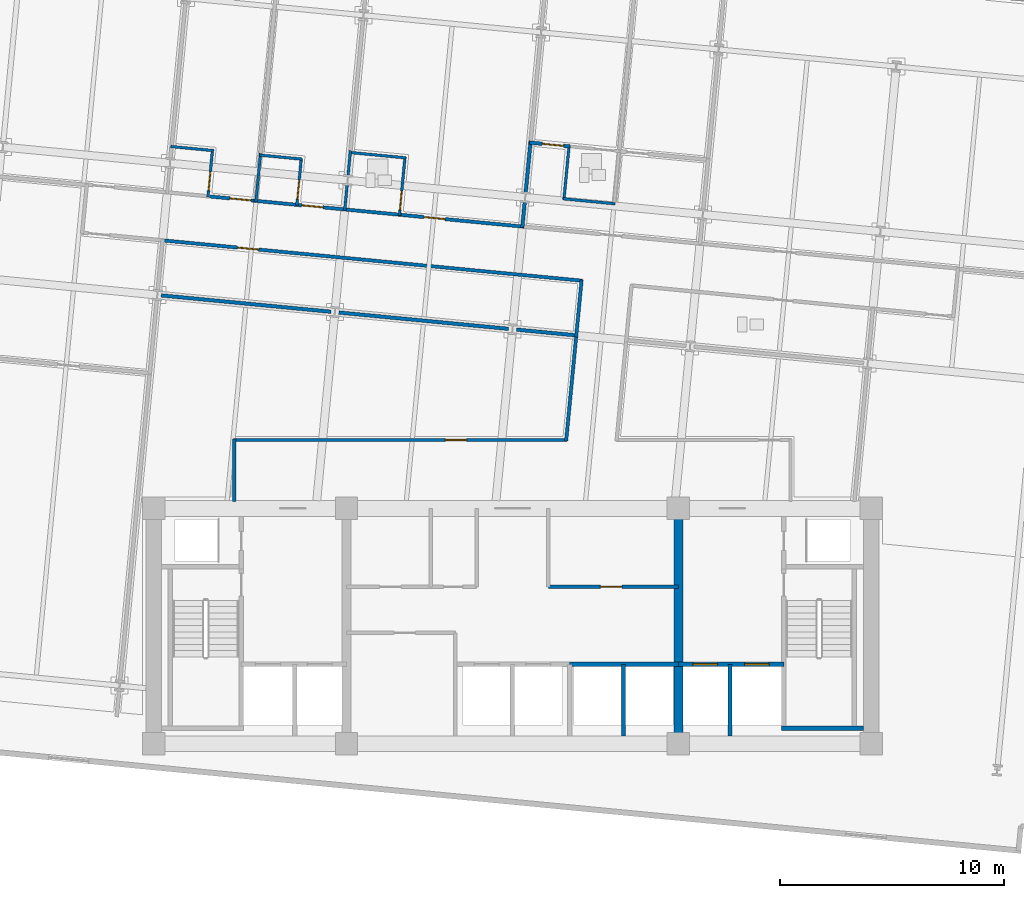
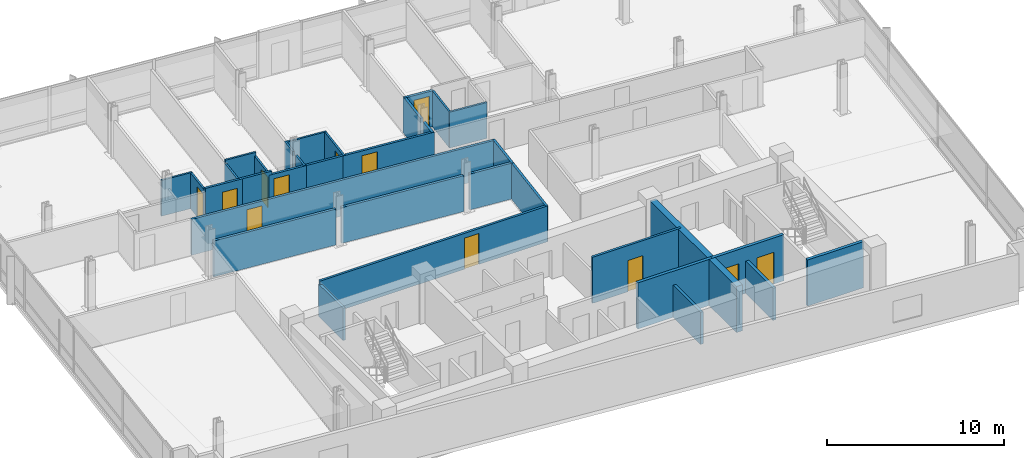
# One storey, part 11 of 17: 34 walls, 12 doors, 12 openings.
"""IFC4 building model written with IfcOpenShell, lengths in metres."""

from ifc_helpers import new_model, si_unit, direction, frame, frame_2d, origin, place, context, subcontext, project, spatial, rectangle, extrude, material, layer, layer_set, type_object, element, fill, save


model = new_model("IFC4")

# Units and contexts
model_context = context("Model", 3, precision=1e-05, world=origin(), true_north=direction((0.0, 1.0)))
body_context = subcontext(model_context, "Body", "Model", "MODEL_VIEW")
ifc_project = project(units=[si_unit("LENGTHUNIT", "METRE"), si_unit("AREAUNIT", "SQUARE_METRE"), si_unit("VOLUMEUNIT", "CUBIC_METRE"), si_unit("PLANEANGLEUNIT", "RADIAN"), si_unit("MASSUNIT", "GRAM", prefix="KILO")], contexts=[model_context])

# Site, building, storey
site_placement = place(None, origin())
site = spatial("IfcSite", under=ifc_project, at=site_placement, CompositionType="ELEMENT")
building_placement = place(site_placement, origin())
building = spatial("IfcBuilding", under=site, at=building_placement, Name="Solmavex Isthmus Hotel", CompositionType="ELEMENT")
storey_placement = place(building_placement, frame((0.0, 0.0, 149.699951171875)))
storey = spatial("IfcBuildingStorey", under=building, at=storey_placement, Name="L40", CompositionType="ELEMENT", Elevation=149.699951171875)

# Walls
ifc_material_1 = material(Name="Gypsum plasterboard lining", Category="gypsum")
ifc_layer_1 = layer(ifc_material_1, 0.159912109375)
ifc_layer_set_1 = layer_set([ifc_layer_1], Name="Gypsum plasterboard lining")
wall_type_1 = type_object("IfcWallType", Name="IW-COMP-160", PredefinedType="PARTITIONING", material=ifc_layer_set_1)
wall_1_placement = place(storey_placement, frame((0.55078125, 11.196044921875, 0.0), z_axis=(0.0, 0.0, 1.0), x_axis=(-0.096017994315, -0.995379598328, 0.0)))
element("IfcWall", 1, at=wall_1_placement, inside=storey, type_object=wall_type_1, Name="Interior Partition Wall W-L40-P040", PredefinedType="PARTITIONING", context=body_context, shape_type="SweptSolid", body=[
    extrude(rectangle(XDim=1.172119140625, YDim=0.159912109375, at=frame_2d((0.5859375, 0.0))), origin(), (0.0, 0.0, 1.0), 2.4794921875),
])
wall_2_placement = place(storey_placement, frame((0.810302734375, 13.8916015625, 0.0), z_axis=(0.0, 0.0, 1.0), x_axis=(-0.095850619404, -0.995395729728, 0.0)))
element("IfcWall", 2, at=wall_2_placement, inside=storey, type_object=wall_type_1, Name="Interior Partition Wall W-L40-P041", PredefinedType="PARTITIONING", context=body_context, shape_type="SweptSolid", body=[
    extrude(rectangle(XDim=2.35595703125, YDim=0.159912109375, at=frame_2d((1.177978515625, 0.0))), origin(), (0.0, 0.0, 1.0), 2.4794921875),
])

# Wall, opening, door
wall_3_placement = place(storey_placement, frame((0.762451171875, 13.813720703125, 0.0), z_axis=(0.0, 0.0, 1.0), x_axis=(0.995394173932, -0.095866774755, 0.0)))
wall_3 = element("IfcWall", 3, at=wall_3_placement, inside=storey, type_object=wall_type_1, Name="Interior Partition Wall W-L40-P044", PredefinedType="PARTITIONING", context=body_context, shape_type="SweptSolid", body=[
    extrude(rectangle(XDim=1.80810546875, YDim=0.159912109375, at=frame_2d((0.904052734375, 0.0))), origin(), (0.0, 0.0, 1.0), 2.4794921875),
])
opening_1_placement = place(wall_3_placement, frame((0.57421875, 0.0, 0.0)))
opening_1 = element("IfcOpeningElement", 4, at=opening_1_placement, cuts=wall_3, Name="Opening ID-C095", PredefinedType="OPENING", context=body_context, shape_type="SweptSolid", body=[
    extrude(rectangle(XDim=0.949951171875, YDim=2.14990234375, at=frame_2d((0.47509765625, 1.074951171875))), frame((0.0, 0.08984375, 0.0), z_axis=(0.0, -1.0, 0.0), x_axis=(1.0, 0.0, 0.0)), (0.0, 0.0, 1.0), 0.179931640625),
])
ifc_material_2 = material(Name="Hardwood timber", Category="wood")
door_type_1 = type_object("IfcDoorType", Name="IDR-FD60-0950", OperationType="NOTDEFINED", PredefinedType="DOOR", material=ifc_material_2)
door_1_placement = place(opening_1_placement, origin())
door_1 = element("IfcDoor", 5, at=door_1_placement, inside=storey, type_object=door_type_1, Name="Ambassador Suite Bedroom Door L40-09", OperationType="SINGLE_SWING_LEFT", OverallHeight=2.14990234375, OverallWidth=0.949951171875, PredefinedType="DOOR", context=body_context, shape_type="SweptSolid", body=[
    extrude(rectangle(XDim=0.949951171875, YDim=2.14990234375, at=frame_2d((0.47509765625, 1.074951171875))), frame((0.0, 0.02490234375, 0.0), z_axis=(0.0, -1.0, 0.0), x_axis=(1.0, 0.0, 0.0)), (0.0, 0.0, 1.0), 0.050048828125),
])
fill(opening_1, door_1)

# Walls
for number, where, z_axis, x_axis, name in (
    (6, (-8.09326171875, 6.269775390625, 0.0), (0.0, 0.0, 1.0), (-0.995396962155, 0.095837819954, 0.0), "Interior Partition Wall W-L40-P060"),
    (7, (-0.173828125, 5.507080078125, 0.0), (0.0, 0.0, 1.0), (-0.995393898805, 0.095869631385, 0.0), "Interior Partition Wall W-L40-P061"),
):
    element("IfcWall", number, at=place(storey_placement, frame(where, z_axis=z_axis, x_axis=x_axis)), inside=storey, type_object=wall_type_1, Name=name, PredefinedType="PARTITIONING", context=body_context, shape_type="SweptSolid", body=[
        extrude(rectangle(XDim=7.60400390625, YDim=0.159912109375, at=frame_2d((3.802001953125, 0.0))), origin(), (0.0, 0.0, 1.0), 2.4794921875),
    ])
wall_4_placement = place(storey_placement, frame((2.885986328125, 5.212646484375, 0.0), z_axis=(0.0, 0.0, 1.0), x_axis=(-0.995401466761, 0.095791022391, 0.0)))
element("IfcWall", 8, at=wall_4_placement, inside=storey, type_object=wall_type_1, Name="Interior Partition Wall W-L40-P062", PredefinedType="PARTITIONING", context=body_context, shape_type="SweptSolid", body=[
    extrude(rectangle(XDim=2.721923828125, YDim=0.159912109375, at=frame_2d((1.36083984375, 0.0))), origin(), (0.0, 0.0, 1.0), 2.4794921875),
])

# Wall, opening, door
ifc_layer_2 = layer(ifc_material_1, 0.14990234375)
ifc_layer_set_2 = layer_set([ifc_layer_2], Name="Gypsum plasterboard lining")
wall_type_2 = type_object("IfcWallType", Name="IW-CORR-150", PredefinedType="PARTITIONING", material=ifc_layer_set_2)
wall_5_placement = place(storey_placement, frame((1.60009765625, -6.0, 0.0), z_axis=(0.0, 0.0, 1.0), x_axis=(1.0, 0.0, 0.0)))
wall_5 = element("IfcWall", 9, at=wall_5_placement, inside=storey, type_object=wall_type_2, Name="Interior Partition Wall W-L40-BOH-ES", PredefinedType="PARTITIONING", context=body_context, shape_type="SweptSolid", body=[
    extrude(rectangle(XDim=5.7998046875, YDim=0.14990234375, at=frame_2d((2.89990234375, 0.0))), origin(), (0.0, 0.0, 1.0), 3.18994140625),
])
opening_2_placement = place(wall_5_placement, frame((2.324951171875, 0.0, 0.0)))
opening_2 = element("IfcOpeningElement", 10, at=opening_2_placement, cuts=wall_5, Name="Opening ID-C095", PredefinedType="OPENING", context=body_context, shape_type="SweptSolid", body=[
    extrude(rectangle(XDim=0.949951171875, YDim=2.14990234375, at=frame_2d((0.47509765625, 1.074951171875))), frame((0.0, 0.0849609375, 0.0), z_axis=(0.0, -1.0, 0.0), x_axis=(1.0, 0.0, 0.0)), (0.0, 0.0, 1.0), 0.169921875),
])
door_2_placement = place(opening_2_placement, frame((0.949951171875, 0.0, 0.0), z_axis=(0.0, 0.0, 1.0), x_axis=(-1.0, 0.0, 0.0)))
door_2 = element("IfcDoor", 11, at=door_2_placement, inside=storey, type_object=door_type_1, Name="Butler Pantry Door L40", OperationType="SINGLE_SWING_RIGHT", OverallHeight=2.14990234375, OverallWidth=0.949951171875, PredefinedType="DOOR", context=body_context, shape_type="SweptSolid", body=[
    extrude(rectangle(XDim=0.949951171875, YDim=2.14990234375, at=frame_2d((0.47509765625, 1.074951171875))), frame((0.0, 0.02490234375, 0.0), z_axis=(0.0, -1.0, 0.0), x_axis=(1.0, 0.0, 0.0)), (0.0, 0.0, 1.0), 0.050048828125),
])
fill(opening_2, door_2)

wall_6_placement = place(storey_placement, frame((-13.65673828125, 11.4267578125, 0.0), z_axis=(0.0, 0.0, 1.0), x_axis=(0.995393345625, -0.095875374756, 0.0)))
wall_6 = element("IfcWall", 12, at=wall_6_placement, inside=storey, type_object=wall_type_2, Name="Interior Partition Wall W-L40-P002", PredefinedType="PARTITIONING", context=body_context, shape_type="SweptSolid", body=[
    extrude(rectangle(XDim=2.312255859375, YDim=0.14990234375, at=frame_2d((1.15625, 0.0))), origin(), (0.0, 0.0, 1.0), 2.71826171875),
])
opening_3_placement = place(wall_6_placement, frame((1.05615234375, 0.0, 0.0)))
opening_3 = element("IfcOpeningElement", 13, at=opening_3_placement, cuts=wall_6, Name="Opening ID-C095", PredefinedType="OPENING", context=body_context, shape_type="SweptSolid", body=[
    extrude(rectangle(XDim=0.949951171875, YDim=2.14990234375, at=frame_2d((0.47509765625, 1.074951171875))), frame((0.0, 0.0849609375, 0.0), z_axis=(0.0, -1.0, 0.0), x_axis=(1.0, 0.0, 0.0)), (0.0, 0.0, 1.0), 0.169921875),
])
door_3_placement = place(opening_3_placement, frame((0.949951171875, 0.0, 0.0), z_axis=(0.0, 0.0, 1.0), x_axis=(-1.0, 0.0, 0.0)))
door_3 = element("IfcDoor", 14, at=door_3_placement, inside=storey, type_object=door_type_1, Name="Premier Guest Room Door L40-02", OperationType="SINGLE_SWING_RIGHT", OverallHeight=2.14990234375, OverallWidth=0.949951171875, PredefinedType="DOOR", context=body_context, shape_type="SweptSolid", body=[
    extrude(rectangle(XDim=0.949951171875, YDim=2.14990234375, at=frame_2d((0.47509765625, 1.074951171875))), frame((0.0, 0.02490234375, 0.0), z_axis=(0.0, -1.0, 0.0), x_axis=(1.0, 0.0, 0.0)), (0.0, 0.0, 1.0), 0.050048828125),
])
fill(opening_3, door_3)

wall_7_placement = place(storey_placement, frame((-9.697021484375, 11.04541015625, 0.0), z_axis=(0.0, 0.0, 1.0), x_axis=(0.995393345625, -0.095875374756, 0.0)))
wall_7 = element("IfcWall", 15, at=wall_7_placement, inside=storey, type_object=wall_type_2, Name="Interior Partition Wall W-L40-P004", PredefinedType="PARTITIONING", context=body_context, shape_type="SweptSolid", body=[
    extrude(rectangle(XDim=2.312255859375, YDim=0.14990234375, at=frame_2d((1.15625, 0.0))), origin(), (0.0, 0.0, 1.0), 2.4794921875),
])
opening_4_placement = place(wall_7_placement, frame((0.30615234375, 0.0, 0.0)))
opening_4 = element("IfcOpeningElement", 16, at=opening_4_placement, cuts=wall_7, Name="Opening ID-C095", PredefinedType="OPENING", context=body_context, shape_type="SweptSolid", body=[
    extrude(rectangle(XDim=0.949951171875, YDim=2.14990234375, at=frame_2d((0.47509765625, 1.074951171875))), frame((0.0, 0.0849609375, 0.0), z_axis=(0.0, -1.0, 0.0), x_axis=(1.0, 0.0, 0.0)), (0.0, 0.0, 1.0), 0.169921875),
])
door_4_placement = place(opening_4_placement, frame((0.949951171875, 0.0, 0.0), z_axis=(0.0, 0.0, 1.0), x_axis=(-1.0, 0.0, 0.0)))
door_4 = element("IfcDoor", 17, at=door_4_placement, inside=storey, type_object=door_type_1, Name="Deluxe Guest Room Door L40-04", OperationType="SINGLE_SWING_RIGHT", OverallHeight=2.14990234375, OverallWidth=0.949951171875, PredefinedType="DOOR", context=body_context, shape_type="SweptSolid", body=[
    extrude(rectangle(XDim=0.949951171875, YDim=2.14990234375, at=frame_2d((0.47509765625, 1.074951171875))), frame((0.0, 0.02490234375, 0.0), z_axis=(0.0, -1.0, 0.0), x_axis=(1.0, 0.0, 0.0)), (0.0, 0.0, 1.0), 0.050048828125),
])
fill(opening_4, door_4)

# Wall
wall_8_placement = place(storey_placement, frame((-11.5185546875, 11.220947265625, 0.0), z_axis=(0.0, 0.0, 1.0), x_axis=(0.995394211968, -0.095866379824, 0.0)))
element("IfcWall", 18, at=wall_8_placement, inside=storey, type_object=wall_type_2, Name="Interior Partition Wall W-L40-P005", PredefinedType="PARTITIONING", context=body_context, shape_type="SweptSolid", body=[
    extrude(rectangle(XDim=1.994140625, YDim=0.14990234375, at=frame_2d((0.9970703125, 0.0))), origin(), (0.0, 0.0, 1.0), 2.71826171875),
])

# Wall, opening, door
wall_9_placement = place(storey_placement, frame((-5.1201171875, 10.604736328125, 0.0), z_axis=(0.0, 0.0, 1.0), x_axis=(0.995395844771, -0.095849424686, 0.0)))
wall_9 = element("IfcWall", 19, at=wall_9_placement, inside=storey, type_object=wall_type_2, Name="Interior Partition Wall W-L40-P006", PredefinedType="PARTITIONING", context=body_context, shape_type="SweptSolid", body=[
    extrude(rectangle(XDim=5.669921875, YDim=0.14990234375, at=frame_2d((2.8349609375, 0.0))), origin(), (0.0, 0.0, 1.0), 2.4794921875),
])
opening_5_placement = place(wall_9_placement, frame((1.18603515625, 0.0, 0.0)))
opening_5 = element("IfcOpeningElement", 20, at=opening_5_placement, cuts=wall_9, Name="Opening ID-C095", PredefinedType="OPENING", context=body_context, shape_type="SweptSolid", body=[
    extrude(rectangle(XDim=0.949951171875, YDim=2.14990234375, at=frame_2d((0.47509765625, 1.074951171875))), frame((0.0, 0.0849609375, 0.0), z_axis=(0.0, -1.0, 0.0), x_axis=(1.0, 0.0, 0.0)), (0.0, 0.0, 1.0), 0.169921875),
])
door_5_placement = place(opening_5_placement, frame((0.949951171875, 0.0, 0.0), z_axis=(0.0, 0.0, 1.0), x_axis=(-1.0, 0.0, 0.0)))
door_5 = element("IfcDoor", 21, at=door_5_placement, inside=storey, type_object=door_type_1, Name="Junior Suite Door L40-06", OperationType="SINGLE_SWING_RIGHT", OverallHeight=2.14990234375, OverallWidth=0.949951171875, PredefinedType="DOOR", context=body_context, shape_type="SweptSolid", body=[
    extrude(rectangle(XDim=0.949951171875, YDim=2.14990234375, at=frame_2d((0.47509765625, 1.074951171875))), frame((0.0, 0.02490234375, 0.0), z_axis=(0.0, -1.0, 0.0), x_axis=(1.0, 0.0, 0.0)), (0.0, 0.0, 1.0), 0.050048828125),
])
fill(opening_5, door_5)

# Walls
wall_10_placement = place(storey_placement, frame((-7.558837890625, 10.839599609375, 0.0), z_axis=(0.0, 0.0, 1.0), x_axis=(0.995398413865, -0.095822740911, 0.0)))
element("IfcWall", 22, at=wall_10_placement, inside=storey, type_object=wall_type_2, Name="Interior Partition Wall W-L40-P007", PredefinedType="PARTITIONING", context=body_context, shape_type="SweptSolid", body=[
    extrude(rectangle(XDim=2.614013671875, YDim=0.14990234375, at=frame_2d((1.30712890625, 0.0))), origin(), (0.0, 0.0, 1.0), 2.4794921875),
])
wall_11_placement = place(storey_placement, frame((2.83837890625, 5.134765625, 0.0), z_axis=(0.0, 0.0, 1.0), x_axis=(0.095772090971, 0.995403288417, 0.0)))
element("IfcWall", 23, at=wall_11_placement, inside=storey, type_object=wall_type_2, Name="Interior Partition Wall W-L40-P012", PredefinedType="PARTITIONING", context=body_context, shape_type="SweptSolid", body=[
    extrude(rectangle(XDim=2.572021484375, YDim=0.14990234375, at=frame_2d((1.2861328125, 0.0))), origin(), (0.0, 0.0, 1.0), 2.4794921875),
])

# Wall, opening, door
wall_12_placement = place(storey_placement, frame((3.120849609375, 7.6513671875, 0.0), z_axis=(0.0, 0.0, 1.0), x_axis=(-0.995397135603, 0.095836018457, 0.0)))
wall_12 = element("IfcWall", 24, at=wall_12_placement, inside=storey, type_object=wall_type_2, Name="Interior Partition Wall W-L40-P013", PredefinedType="PARTITIONING", context=body_context, shape_type="SweptSolid", body=[
    extrude(rectangle(XDim=18.89208984375, YDim=0.14990234375, at=frame_2d((9.446044921875, 0.0))), origin(), (0.0, 0.0, 1.0), 2.4794921875),
])
opening_6_placement = place(wall_12_placement, frame((14.501708984375, 0.0, 0.0)))
opening_6 = element("IfcOpeningElement", 25, at=opening_6_placement, cuts=wall_12, Name="Opening ID-C095", PredefinedType="OPENING", context=body_context, shape_type="SweptSolid", body=[
    extrude(rectangle(XDim=0.949951171875, YDim=2.14990234375, at=frame_2d((0.47509765625, 1.074951171875))), frame((0.0, 0.0849609375, 0.0), z_axis=(0.0, -1.0, 0.0), x_axis=(1.0, 0.0, 0.0)), (0.0, 0.0, 1.0), 0.169921875),
])
door_6_placement = place(opening_6_placement, frame((0.949951171875, 0.0, 0.0), z_axis=(0.0, 0.0, 1.0), x_axis=(-1.0, 0.0, 0.0)))
door_6 = element("IfcDoor", 26, at=door_6_placement, inside=storey, type_object=door_type_1, Name="Catering Servery Kitchen Door L40-14", OperationType="SINGLE_SWING_RIGHT", OverallHeight=2.14990234375, OverallWidth=0.949951171875, PredefinedType="DOOR", context=body_context, shape_type="SweptSolid", body=[
    extrude(rectangle(XDim=0.949951171875, YDim=2.14990234375, at=frame_2d((0.47509765625, 1.074951171875))), frame((0.0, 0.02490234375, 0.0), z_axis=(0.0, -1.0, 0.0), x_axis=(1.0, 0.0, 0.0)), (0.0, 0.0, 1.0), 0.050048828125),
])
fill(opening_6, door_6)

# Wall
wall_13_placement = place(storey_placement, frame((-12.39990234375, -2.18994140625, 0.0), z_axis=(0.0, 0.0, 1.0), x_axis=(0.0, 1.0, 0.0)))
element("IfcWall", 27, at=wall_13_placement, inside=storey, type_object=wall_type_2, Name="Interior Partition Wall W-L40-P019", PredefinedType="PARTITIONING", context=body_context, shape_type="SweptSolid", body=[
    extrude(rectangle(XDim=2.780029296875, YDim=0.14990234375, at=frame_2d((1.39013671875, 0.0))), origin(), (0.0, 0.0, 1.0), 2.22509765625),
])

# Wall, opening, door
wall_14_placement = place(storey_placement, frame((-12.43994140625, 0.550048828125, 0.0), z_axis=(0.0, 0.0, 1.0), x_axis=(1.0, 0.0, 0.0)))
wall_14 = element("IfcWall", 28, at=wall_14_placement, inside=storey, type_object=wall_type_2, Name="Interior Partition Wall W-L40-P020", PredefinedType="PARTITIONING", context=body_context, shape_type="SweptSolid", body=[
    extrude(rectangle(XDim=14.876708984375, YDim=0.14990234375, at=frame_2d((7.4384765625, 0.0))), origin(), (0.0, 0.0, 1.0), 2.4794921875),
])
opening_7_placement = place(wall_14_placement, frame((9.44921875, 0.0, 0.0)))
opening_7 = element("IfcOpeningElement", 29, at=opening_7_placement, cuts=wall_14, Name="Opening ID-C095", PredefinedType="OPENING", context=body_context, shape_type="SweptSolid", body=[
    extrude(rectangle(XDim=0.949951171875, YDim=2.14990234375, at=frame_2d((0.47509765625, 1.074951171875))), frame((0.0, 0.0849609375, 0.0), z_axis=(0.0, -1.0, 0.0), x_axis=(1.0, 0.0, 0.0)), (0.0, 0.0, 1.0), 0.169921875),
])
door_7_placement = place(opening_7_placement, frame((0.949951171875, 0.0, 0.0), z_axis=(0.0, 0.0, 1.0), x_axis=(-1.0, 0.0, 0.0)))
door_7 = element("IfcDoor", 30, at=door_7_placement, inside=storey, type_object=door_type_1, Name="Seminar Meeting Room Door L40-17", OperationType="SINGLE_SWING_LEFT", OverallHeight=2.14990234375, OverallWidth=0.949951171875, PredefinedType="DOOR", context=body_context, shape_type="SweptSolid", body=[
    extrude(rectangle(XDim=0.949951171875, YDim=2.14990234375, at=frame_2d((0.47509765625, 1.074951171875))), frame((0.0, 0.02490234375, 0.0), z_axis=(0.0, -1.0, 0.0), x_axis=(1.0, 0.0, 0.0)), (0.0, 0.0, 1.0), 0.050048828125),
])
fill(opening_7, door_7)

# Wall
wall_15_placement = place(storey_placement, frame((2.39306640625, 0.51025390625, 0.0), z_axis=(0.0, 0.0, 1.0), x_axis=(0.095829431913, 0.995397769728, 0.0)))
element("IfcWall", 31, at=wall_15_placement, inside=storey, type_object=wall_type_2, Name="Interior Partition Wall W-L40-P021", PredefinedType="PARTITIONING", context=body_context, shape_type="SweptSolid", body=[
    extrude(rectangle(XDim=4.81005859375, YDim=0.14990234375, at=frame_2d((2.405029296875, 0.0))), origin(), (0.0, 0.0, 1.0), 2.4794921875),
])

# Wall, opening, door
ifc_layer_3 = layer(ifc_material_1, 0.1201171875)
ifc_layer_set_3 = layer_set([ifc_layer_3], Name="Gypsum plasterboard lining")
wall_type_3 = type_object("IfcWallType", Name="IW-PART-120", PredefinedType="PARTITIONING", material=ifc_layer_set_3)
wall_16_placement = place(storey_placement, frame((-13.578857421875, 11.379150390625, 0.0), z_axis=(0.0, 0.0, 1.0), x_axis=(0.095825980341, 0.995398102013, 0.0)))
wall_16 = element("IfcWall", 32, at=wall_16_placement, inside=storey, type_object=wall_type_3, Name="Interior Partition Wall W-L40-P028", PredefinedType="PARTITIONING", context=body_context, shape_type="SweptSolid", body=[
    extrude(rectangle(XDim=2.1298828125, YDim=0.1201171875, at=frame_2d((1.06494140625, 0.0))), origin(), (0.0, 0.0, 1.0), 2.4794921875),
])
opening_8_placement = place(wall_16_placement, frame((0.295654296875, 0.0, 0.0)))
opening_8 = element("IfcOpeningElement", 33, at=opening_8_placement, cuts=wall_16, Name="Opening ID-U085", PredefinedType="OPENING", context=body_context, shape_type="SweptSolid", body=[
    extrude(rectangle(XDim=0.85009765625, YDim=2.10009765625, at=frame_2d((0.425048828125, 1.050048828125))), frame((0.0, 0.070068359375, 0.0), z_axis=(0.0, -1.0, 0.0), x_axis=(1.0, 0.0, 0.0)), (0.0, 0.0, 1.0), 0.14013671875),
])
door_type_2 = type_object("IfcDoorType", Name="IDR-UNR-0850", OperationType="NOTDEFINED", PredefinedType="DOOR", material=ifc_material_2)
door_8_placement = place(opening_8_placement, frame((0.85009765625, 0.0, 0.0), z_axis=(0.0, 0.0, 1.0), x_axis=(-1.0, 0.0, 0.0)))
door_8 = element("IfcDoor", 34, at=door_8_placement, inside=storey, type_object=door_type_2, Name="En-suite Bathroom Door L40-03", OperationType="SINGLE_SWING_LEFT", OverallHeight=2.10009765625, OverallWidth=0.85009765625, PredefinedType="DOOR", context=body_context, shape_type="SweptSolid", body=[
    extrude(rectangle(XDim=0.85009765625, YDim=2.10009765625, at=frame_2d((0.425048828125, 1.050048828125))), frame((0.0, 0.02490234375, 0.0), z_axis=(0.0, -1.0, 0.0), x_axis=(1.0, 0.0, 0.0)), (0.0, 0.0, 1.0), 0.050048828125),
])
fill(opening_8, door_8)

# Walls
wall_17_placement = place(storey_placement, frame((-13.3388671875, 13.45556640625, 0.0), z_axis=(0.0, 0.0, 1.0), x_axis=(-0.995393793358, 0.095870726213, 0.0)))
element("IfcWall", 35, at=wall_17_placement, inside=storey, type_object=wall_type_3, Name="Interior Partition Wall W-L40-P029", PredefinedType="PARTITIONING", context=body_context, shape_type="SweptSolid", body=[
    extrude(rectangle(XDim=1.909912109375, YDim=0.1201171875, at=frame_2d((0.955078125, 0.0))), origin(), (0.0, 0.0, 1.0), 2.4794921875),
])
wall_18_placement = place(storey_placement, frame((-11.232666015625, 13.335205078125, 0.0), z_axis=(0.0, 0.0, 1.0), x_axis=(-0.09576380767, -0.995404085355, 0.0)))
element("IfcWall", 36, at=wall_18_placement, inside=storey, type_object=wall_type_3, Name="Interior Partition Wall W-L40-P031", PredefinedType="PARTITIONING", context=body_context, shape_type="SweptSolid", body=[
    extrude(rectangle(XDim=2.172119140625, YDim=0.1201171875, at=frame_2d((1.0859375, 0.0))), origin(), (0.0, 0.0, 1.0), 2.4794921875),
])

# Wall, opening, door
wall_19_placement = place(storey_placement, frame((-9.619384765625, 10.997802734375, 0.0), z_axis=(0.0, 0.0, 1.0), x_axis=(0.095939550296, 0.995387162208, 0.0)))
wall_19 = element("IfcWall", 37, at=wall_19_placement, inside=storey, type_object=wall_type_3, Name="Interior Partition Wall W-L40-P032", PredefinedType="PARTITIONING", context=body_context, shape_type="SweptSolid", body=[
    extrude(rectangle(XDim=2.1298828125, YDim=0.1201171875, at=frame_2d((1.06494140625, 0.0))), origin(), (0.0, 0.0, 1.0), 2.4794921875),
])
opening_9_placement = place(wall_19_placement, frame((0.295654296875, 0.0, 0.0)))
opening_9 = element("IfcOpeningElement", 38, at=opening_9_placement, cuts=wall_19, Name="Opening ID-U085", PredefinedType="OPENING", context=body_context, shape_type="SweptSolid", body=[
    extrude(rectangle(XDim=0.85009765625, YDim=2.10009765625, at=frame_2d((0.425048828125, 1.050048828125))), frame((0.0, 0.070068359375, 0.0), z_axis=(0.0, -1.0, 0.0), x_axis=(1.0, 0.0, 0.0)), (0.0, 0.0, 1.0), 0.14013671875),
])
door_9_placement = place(opening_9_placement, origin())
door_9 = element("IfcDoor", 39, at=door_9_placement, inside=storey, type_object=door_type_2, Name="En-suite Bathroom Door L40-05", OperationType="SINGLE_SWING_LEFT", OverallHeight=2.10009765625, OverallWidth=0.85009765625, PredefinedType="DOOR", context=body_context, shape_type="SweptSolid", body=[
    extrude(rectangle(XDim=0.85009765625, YDim=2.10009765625, at=frame_2d((0.425048828125, 1.050048828125))), frame((0.0, 0.02490234375, 0.0), z_axis=(0.0, -1.0, 0.0), x_axis=(1.0, 0.0, 0.0)), (0.0, 0.0, 1.0), 0.050048828125),
])
fill(opening_9, door_9)

# Walls
wall_20_placement = place(storey_placement, frame((-9.379150390625, 13.07421875, 0.0), z_axis=(0.0, 0.0, 1.0), x_axis=(-0.995393793358, 0.095870726213, 0.0)))
element("IfcWall", 40, at=wall_20_placement, inside=storey, type_object=wall_type_3, Name="Interior Partition Wall W-L40-P033", PredefinedType="PARTITIONING", context=body_context, shape_type="SweptSolid", body=[
    extrude(rectangle(XDim=1.909912109375, YDim=0.1201171875, at=frame_2d((0.955078125, 0.0))), origin(), (0.0, 0.0, 1.0), 2.71826171875),
])
wall_21_placement = place(storey_placement, frame((-7.36865234375, 11.95849609375, 0.0), z_axis=(0.0, 0.0, 1.0), x_axis=(-0.095831494917, -0.995397571115, 0.0)))
element("IfcWall", 41, at=wall_21_placement, inside=storey, type_object=wall_type_3, Name="Interior Partition Wall W-L40-P036", PredefinedType="PARTITIONING", context=body_context, shape_type="SweptSolid", body=[
    extrude(rectangle(XDim=1.171875, YDim=0.1201171875, at=frame_2d((0.5859375, 0.0))), origin(), (0.0, 0.0, 1.0), 2.4794921875),
])
wall_22_placement = place(storey_placement, frame((-7.224853515625, 13.45166015625, 0.0), z_axis=(0.0, 0.0, 1.0), x_axis=(-0.09590284245, -0.99539069958, 0.0)))
element("IfcWall", 42, at=wall_22_placement, inside=storey, type_object=wall_type_3, Name="Interior Partition Wall W-L40-P037", PredefinedType="PARTITIONING", context=body_context, shape_type="SweptSolid", body=[
    extrude(rectangle(XDim=1.148193359375, YDim=0.1201171875, at=frame_2d((0.57421875, 0.0))), origin(), (0.0, 0.0, 1.0), 2.4794921875),
])

# Wall, opening, door
wall_23_placement = place(storey_placement, frame((-5.042236328125, 10.55712890625, 0.0), z_axis=(0.0, 0.0, 1.0), x_axis=(0.095799078022, 0.995400691506, 0.0)))
wall_23 = element("IfcWall", 43, at=wall_23_placement, inside=storey, type_object=wall_type_3, Name="Interior Partition Wall W-L40-P038", PredefinedType="PARTITIONING", context=body_context, shape_type="SweptSolid", body=[
    extrude(rectangle(XDim=2.630126953125, YDim=0.1201171875, at=frame_2d((1.31494140625, 0.0))), origin(), (0.0, 0.0, 1.0), 2.4794921875),
])
opening_10_placement = place(wall_23_placement, frame((0.247314453125, 0.0, 0.0)))
opening_10 = element("IfcOpeningElement", 44, at=opening_10_placement, cuts=wall_23, Name="Opening ID-U085", PredefinedType="OPENING", context=body_context, shape_type="SweptSolid", body=[
    extrude(rectangle(XDim=0.85009765625, YDim=2.10009765625, at=frame_2d((0.425048828125, 1.050048828125))), frame((0.0, 0.070068359375, 0.0), z_axis=(0.0, -1.0, 0.0), x_axis=(1.0, 0.0, 0.0)), (0.0, 0.0, 1.0), 0.14013671875),
])
door_10_placement = place(opening_10_placement, frame((0.85009765625, 0.0, 0.0), z_axis=(0.0, 0.0, 1.0), x_axis=(-1.0, 0.0, 0.0)))
door_10 = element("IfcDoor", 45, at=door_10_placement, inside=storey, type_object=door_type_2, Name="En-suite Bathroom Door L40-07", OperationType="SINGLE_SWING_LEFT", OverallHeight=2.10009765625, OverallWidth=0.85009765625, PredefinedType="DOOR", context=body_context, shape_type="SweptSolid", body=[
    extrude(rectangle(XDim=0.85009765625, YDim=2.10009765625, at=frame_2d((0.425048828125, 1.050048828125))), frame((0.0, 0.02490234375, 0.0), z_axis=(0.0, -1.0, 0.0), x_axis=(1.0, 0.0, 0.0)), (0.0, 0.0, 1.0), 0.050048828125),
])
fill(opening_10, door_10)

# Walls
wall_24_placement = place(storey_placement, frame((-4.754150390625, 13.13134765625, 0.0), z_axis=(0.0, 0.0, 1.0), x_axis=(-0.995399123656, 0.09581536737, 0.0)))
element("IfcWall", 46, at=wall_24_placement, inside=storey, type_object=wall_type_3, Name="Interior Partition Wall W-L40-P039", PredefinedType="PARTITIONING", context=body_context, shape_type="SweptSolid", body=[
    extrude(rectangle(XDim=2.5302734375, YDim=0.1201171875, at=frame_2d((1.26513671875, 0.0))), origin(), (0.0, 0.0, 1.0), 2.4794921875),
])
wall_25_placement = place(storey_placement, frame((2.526123046875, 13.68408203125, 0.0), z_axis=(0.0, 0.0, 1.0), x_axis=(-0.095842578202, -0.995396504014, 0.0)))
element("IfcWall", 47, at=wall_25_placement, inside=storey, type_object=wall_type_3, Name="Interior Partition Wall W-L40-P046", PredefinedType="PARTITIONING", context=body_context, shape_type="SweptSolid", body=[
    extrude(rectangle(XDim=2.43017578125, YDim=0.1201171875, at=frame_2d((1.215087890625, 0.0))), origin(), (0.0, 0.0, 1.0), 2.4794921875),
])
wall_26_placement = place(storey_placement, frame((2.25732421875, 11.308837890625, 0.0), z_axis=(0.0, 0.0, 1.0), x_axis=(0.995393658532, -0.095872126059, 0.0)))
element("IfcWall", 48, at=wall_26_placement, inside=storey, type_object=wall_type_3, Name="Interior Partition Wall W-L40-P047", PredefinedType="PARTITIONING", context=body_context, shape_type="SweptSolid", body=[
    extrude(rectangle(XDim=2.330078125, YDim=0.1201171875, at=frame_2d((1.1650390625, 0.0))), origin(), (0.0, 0.0, 1.0), 2.4794921875),
])
ifc_material_3 = material(Name="Concrete C40/50", Category="concrete")
ifc_layer_4 = layer(ifc_material_3, 0.179931640625)
ifc_layer_set_4 = layer_set([ifc_layer_4], Name="Concrete C40/50")
wall_type_4 = type_object("IfcWallType", Name="IW-SHAFT-180", PredefinedType="PARTITIONING", material=ifc_layer_set_4)
wall_27_placement = place(storey_placement, frame((4.949951171875, -12.64990234375, 0.0), z_axis=(0.0, 0.0, 1.0), x_axis=(0.0, 1.0, 0.0)))
element("IfcWall", 49, at=wall_27_placement, inside=storey, type_object=wall_type_4, Name="Interior Partition Wall W-L40-SH-PLH-M", PredefinedType="PARTITIONING", context=body_context, shape_type="SweptSolid", body=[
    extrude(rectangle(XDim=3.199951171875, YDim=0.179931640625, at=frame_2d((1.60009765625, 0.0))), origin(), (0.0, 0.0, 1.0), 2.22509765625),
])

# Wall, openings, doors
ifc_layer_5 = layer(ifc_material_3, 0.199951171875)
ifc_layer_set_5 = layer_set([ifc_layer_5], Name="Concrete C40/50")
wall_type_5 = type_object("IfcWallType", Name="IW-SHAFT-200", PredefinedType="PARTITIONING", material=ifc_layer_set_5)
wall_28_placement = place(storey_placement, frame((7.39990234375, -9.449951171875, 0.0), z_axis=(0.0, 0.0, 1.0), x_axis=(1.0, 0.0, 0.0)))
wall_28 = element("IfcWall", 50, at=wall_28_placement, inside=storey, type_object=wall_type_5, Name="Interior Partition Wall W-L40-FFLE-S", PredefinedType="PARTITIONING", context=body_context, shape_type="SweptSolid", body=[
    extrude(rectangle(XDim=4.7001953125, YDim=0.199951171875, at=frame_2d((2.35009765625, 0.0))), origin(), (0.0, 0.0, 1.0), 3.18994140625),
])
opening_11_placement = place(wall_28_placement, frame((2.949951171875, 0.0, 0.0)))
opening_11 = element("IfcOpeningElement", 51, at=opening_11_placement, cuts=wall_28, Name="Opening LD-FF", PredefinedType="OPENING", context=body_context, shape_type="SweptSolid", body=[
    extrude(rectangle(XDim=1.10009765625, YDim=2.199951171875, at=frame_2d((0.550048828125, 1.10009765625))), frame((0.0, 0.10986328125, 0.0), z_axis=(0.0, -1.0, 0.0), x_axis=(1.0, 0.0, 0.0)), (0.0, 0.0, 1.0), 0.219970703125),
])
opening_12_placement = place(wall_28_placement, frame((0.64990234375, 0.0, 0.0)))
opening_12 = element("IfcOpeningElement", 52, at=opening_12_placement, cuts=wall_28, Name="Opening LD-SV", PredefinedType="OPENING", context=body_context, shape_type="SweptSolid", body=[
    extrude(rectangle(XDim=1.10009765625, YDim=2.199951171875, at=frame_2d((0.550048828125, 1.10009765625))), frame((0.0, 0.10986328125, 0.0), z_axis=(0.0, -1.0, 0.0), x_axis=(1.0, 0.0, 0.0)), (0.0, 0.0, 1.0), 0.219970703125),
])
ifc_material_4 = material(Name="Stainless steel 316", Category="steel")
door_type_3 = type_object("IfcDoorType", Name="LDR-FF-1100", OperationType="NOTDEFINED", PredefinedType="DOOR", material=ifc_material_4)
door_11_placement = place(opening_11_placement, origin())
door_11 = element("IfcDoor", 53, at=door_11_placement, inside=storey, type_object=door_type_3, Name="Lift Landing Door FFL-2 L40", OperationType="SLIDING_TO_LEFT", OverallHeight=2.199951171875, OverallWidth=1.10009765625, PredefinedType="DOOR", context=body_context, shape_type="SweptSolid", body=[
    extrude(rectangle(XDim=1.10009765625, YDim=2.199951171875, at=frame_2d((0.550048828125, 1.10009765625))), frame((0.0, 0.02490234375, 0.0), z_axis=(0.0, -1.0, 0.0), x_axis=(1.0, 0.0, 0.0)), (0.0, 0.0, 1.0), 0.050048828125),
])
fill(opening_11, door_11)
door_type_4 = type_object("IfcDoorType", Name="LDR-SV-1100", OperationType="NOTDEFINED", PredefinedType="DOOR", material=ifc_material_4)
door_12_placement = place(opening_12_placement, origin())
door_12 = element("IfcDoor", 54, at=door_12_placement, inside=storey, type_object=door_type_4, Name="Lift Landing Door SVL-2 L40", OperationType="SLIDING_TO_RIGHT", OverallHeight=2.199951171875, OverallWidth=1.10009765625, PredefinedType="DOOR", context=body_context, shape_type="SweptSolid", body=[
    extrude(rectangle(XDim=1.10009765625, YDim=2.199951171875, at=frame_2d((0.550048828125, 1.10009765625))), frame((0.0, 0.02490234375, 0.0), z_axis=(0.0, -1.0, 0.0), x_axis=(1.0, 0.0, 0.0)), (0.0, 0.0, 1.0), 0.050048828125),
])
fill(opening_12, door_12)

# Walls
wall_29_placement = place(storey_placement, frame((9.699951171875, -12.64990234375, 0.0), z_axis=(0.0, 0.0, 1.0), x_axis=(0.0, 1.0, 0.0)))
element("IfcWall", 55, at=wall_29_placement, inside=storey, type_object=wall_type_5, Name="Interior Partition Wall W-L40-FFLE-M", PredefinedType="PARTITIONING", context=body_context, shape_type="SweptSolid", body=[
    extrude(rectangle(XDim=3.199951171875, YDim=0.199951171875, at=frame_2d((1.60009765625, 0.0))), origin(), (0.0, 0.0, 1.0), 2.22509765625),
])
wall_30_placement = place(storey_placement, frame((2.550048828125, -9.449951171875, 0.0), z_axis=(0.0, 0.0, 1.0), x_axis=(1.0, 0.0, 0.0)))
element("IfcWall", 56, at=wall_30_placement, inside=storey, type_object=wall_type_5, Name="Interior Partition Wall W-L40-SH-PLH", PredefinedType="PARTITIONING", context=body_context, shape_type="SweptSolid", body=[
    extrude(rectangle(XDim=4.849853515625, YDim=0.199951171875, at=frame_2d((2.4248046875, 0.0))), origin(), (0.0, 0.0, 1.0), 3.18994140625),
])
ifc_material_5 = material(Name="Concrete C60/75", Category="concrete")
ifc_layer_6 = layer(ifc_material_5, 0.39990234375)
ifc_layer_set_6 = layer_set([ifc_layer_6], Name="Concrete C60/75")
wall_type_6 = type_object("IfcWallType", Name="WALL-CW-400M", PredefinedType="SHEAR", material=ifc_layer_set_6)
wall_31_placement = place(storey_placement, frame((7.39990234375, -12.64990234375, 0.0), z_axis=(0.0, 0.0, 1.0), x_axis=(0.0, 1.0, 0.0)))
element("IfcWall", 57, at=wall_31_placement, inside=storey, type_object=wall_type_6, Name="Core Cross Shear Wall C2 L40", PredefinedType="SHEAR", context=body_context, shape_type="SweptSolid", body=[
    extrude(rectangle(XDim=9.7998046875, YDim=0.39990234375, at=frame_2d((4.89990234375, 0.0))), origin(), (0.0, 0.0, 1.0), 3.18994140625),
])
ifc_layer_7 = layer(ifc_material_3, 0.199951171875)
ifc_layer_set_7 = layer_set([ifc_layer_7], Name="Concrete C40/50")
wall_type_7 = type_object("IfcWallType", Name="WALL-SW-200", PredefinedType="SOLIDWALL", material=ifc_layer_set_7)
wall_32_placement = place(storey_placement, frame((12.0, -12.300048828125, 0.0), z_axis=(0.0, 0.0, 1.0), x_axis=(1.0, 0.0, 0.0)))
element("IfcWall", 58, at=wall_32_placement, inside=storey, type_object=wall_type_7, Name="Stairwell Structural Wall SW-L40-ST2-S", PredefinedType="SOLIDWALL", context=body_context, shape_type="SweptSolid", body=[
    extrude(rectangle(XDim=3.64990234375, YDim=0.199951171875, at=frame_2d((1.824951171875, 0.0))), origin(), (0.0, 0.0, 1.0), 3.18994140625),
])

save(model, "model.ifc")
